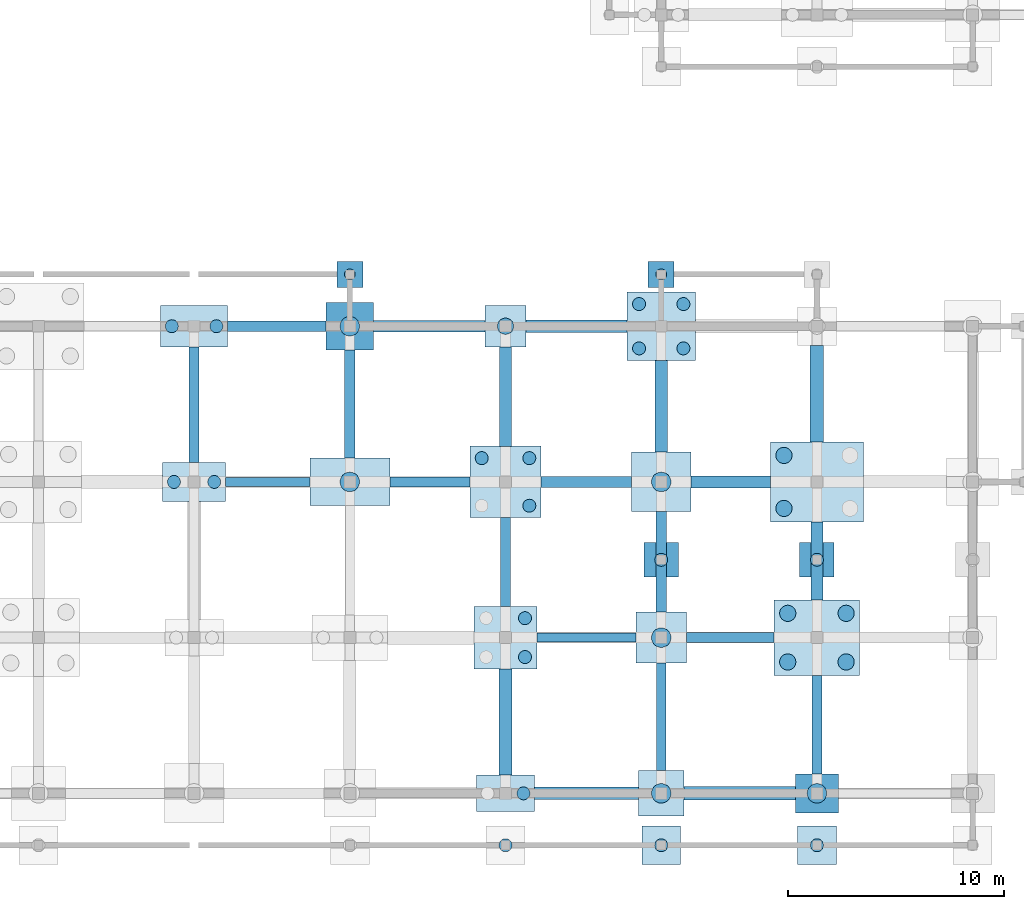
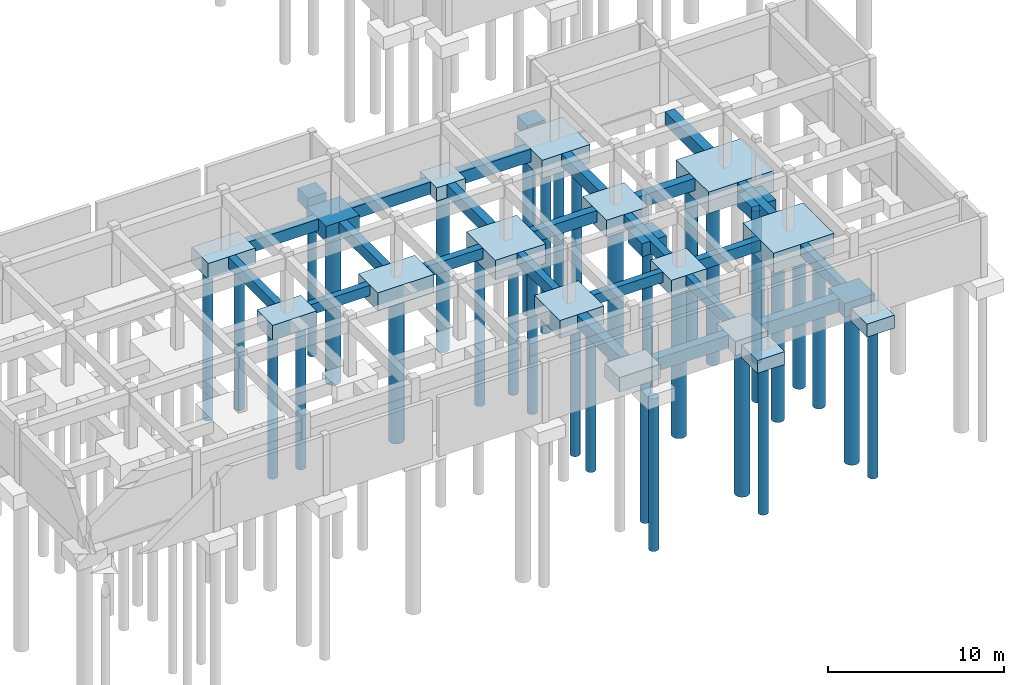
# One storey, part 5 of 38: 43 footings, 34 piles.
"""IFC4 building model written with IfcOpenShell, lengths in metres."""

from ifc_helpers import new_model, si_unit, direction, frame, origin, origin_2d, place, context, subcontext, project, spatial, polyline, rectangle, circle, outline, extrude, material, material_profile, profile_set, type_object, element, save


model = new_model("IFC4")

# Units and contexts
model_context = context("Model", 3, precision=1e-05, world=origin(), true_north=direction((0.0, 1.0)))
body_context = subcontext(model_context, "Body", "Model", "MODEL_VIEW")
ifc_project = project(units=[si_unit("LENGTHUNIT", "METRE"), si_unit("AREAUNIT", "SQUARE_METRE"), si_unit("VOLUMEUNIT", "CUBIC_METRE"), si_unit("PLANEANGLEUNIT", "RADIAN"), si_unit("MASSUNIT", "GRAM", prefix="KILO"), si_unit("THERMODYNAMICTEMPERATUREUNIT", "KELVIN"), si_unit("POWERUNIT", "WATT")], contexts=[model_context])

# Site, building, storey
site_placement = place(None, origin())
site = spatial("IfcSite", under=ifc_project, at=site_placement, CompositionType="ELEMENT")
building_placement = place(site_placement, origin())
building = spatial("IfcBuilding", under=site, at=building_placement, Name="Tavuni Mirador Residences", CompositionType="ELEMENT")
storey_placement = place(building_placement, frame((0.0, 0.0, -4.199951171875)))
storey = spatial("IfcBuildingStorey", under=building, at=storey_placement, Name="B1", CompositionType="ELEMENT", Elevation=-4.199951171875)

# Footings
ifc_material = material(Name="In-situ concrete C35/45", Category="concrete")
footing_type_1 = type_object("IfcFootingType", Name="FT-GB01", PredefinedType="FOOTING_BEAM", material=ifc_material)
footing_1_placement = place(storey_placement, frame((0.0, 0.0, -0.719970703125)))
element("IfcFooting", 1, at=footing_1_placement, inside=storey, type_object=footing_type_1, Name="GBX-PAV-SHOP-03-02", PredefinedType="FOOTING_BEAM", context=body_context, shape_type="SweptSolid", body=[
    extrude(outline(polyline([(69.85009765625, 21.389892578125), (73.75, 21.389892578125), (73.75, 21.81005859375), (69.85009765625, 21.81005859375), (69.85009765625, 21.389892578125)])), origin(), (0.0, 0.0, 1.0), 0.719970703125),
])
footing_2_placement = place(storey_placement, frame((0.0, 0.0, -0.719970703125)))
element("IfcFooting", 2, at=footing_2_placement, inside=storey, type_object=footing_type_1, Name="GBX-PAV-SHOP-05-01", PredefinedType="FOOTING_BEAM", context=body_context, shape_type="SweptSolid", body=[
    extrude(outline(polyline([(84.25, 14.18994140625), (88.824951171875, 14.18994140625), (88.824951171875, 14.610107421875), (84.25, 14.610107421875), (84.25, 14.18994140625)])), origin(), (0.0, 0.0, 1.0), 0.719970703125),
])
footing_3_placement = place(storey_placement, frame((0.0, 0.0, -0.719970703125)))
element("IfcFooting", 3, at=footing_3_placement, inside=storey, type_object=footing_type_1, Name="GBY-PAV-SHOP-06-00", PredefinedType="FOOTING_BEAM", context=body_context, shape_type="SweptSolid", body=[
    extrude(outline(polyline([(89.7900390625, 8.25), (90.2099609375, 8.25), (90.2099609375, 13.22509765625), (89.7900390625, 13.22509765625), (89.7900390625, 8.25)])), origin(), (0.0, 0.0, 1.0), 0.719970703125),
])
footing_type_2 = type_object("IfcFootingType", Name="FT-GB02", PredefinedType="FOOTING_BEAM", material=ifc_material)
footing_4_placement = place(storey_placement, frame((0.0, 0.0, -0.760009765625)))
element("IfcFooting", 4, at=footing_4_placement, inside=storey, type_object=footing_type_2, Name="GBY-PAV-SHOP-03-02", PredefinedType="FOOTING_BEAM", context=body_context, shape_type="SweptSolid", body=[
    extrude(outline(polyline([(68.169921875, 22.5), (68.6298828125, 22.5), (68.6298828125, 27.85009765625), (68.169921875, 27.85009765625), (68.169921875, 22.5)])), origin(), (0.0, 0.0, 1.0), 0.760009765625),
])
footing_5_placement = place(storey_placement, frame((0.0, 0.0, -0.760009765625)))
element("IfcFooting", 5, at=footing_5_placement, inside=storey, type_object=footing_type_2, Name="GBX-PAV-SHOP-04-02", PredefinedType="FOOTING_BEAM", context=body_context, shape_type="SweptSolid", body=[
    extrude(outline(polyline([(77.449951171875, 21.3701171875), (81.14990234375, 21.3701171875), (81.14990234375, 21.830078125), (77.449951171875, 21.830078125), (77.449951171875, 21.3701171875)])), origin(), (0.0, 0.0, 1.0), 0.760009765625),
])
footing_6_placement = place(storey_placement, frame((0.0, 0.0, -0.760009765625)))
element("IfcFooting", 6, at=footing_6_placement, inside=storey, type_object=footing_type_2, Name="GBY-PAV-SHOP-05-01", PredefinedType="FOOTING_BEAM", context=body_context, shape_type="SweptSolid", body=[
    extrude(outline(polyline([(82.570068359375, 15.85009765625), (83.030029296875, 15.85009765625), (83.030029296875, 19.949951171875), (82.570068359375, 19.949951171875), (82.570068359375, 15.85009765625)])), origin(), (0.0, 0.0, 1.0), 0.760009765625),
])
footing_7_placement = place(storey_placement, frame((0.0, 0.0, -0.760009765625)))
element("IfcFooting", 7, at=footing_7_placement, inside=storey, type_object=footing_type_2, Name="GBX-PAV-SHOP-06-01", PredefinedType="FOOTING_BEAM", context=body_context, shape_type="SweptSolid", body=[
    extrude(outline(polyline([(91.175048828125, 14.169921875), (95.22509765625, 14.169921875), (95.22509765625, 14.6298828125), (91.175048828125, 14.6298828125), (91.175048828125, 14.169921875)])), origin(), (0.0, 0.0, 1.0), 0.760009765625),
])
footing_8_placement = place(storey_placement, frame((0.0, 0.0, -0.760009765625)))
element("IfcFooting", 8, at=footing_8_placement, inside=storey, type_object=footing_type_2, Name="GBY-PAV-SHOP-07-00", PredefinedType="FOOTING_BEAM", context=body_context, shape_type="SweptSolid", body=[
    extrude(outline(polyline([(96.969970703125, 8.10009765625), (97.429931640625, 8.10009765625), (97.429931640625, 12.64990234375), (96.969970703125, 12.64990234375), (96.969970703125, 8.10009765625)])), origin(), (0.0, 0.0, 1.0), 0.760009765625),
])
footing_type_3 = type_object("IfcFootingType", Name="FT-GB03", PredefinedType="FOOTING_BEAM", material=ifc_material)
footing_9_placement = place(storey_placement, frame((0.0, 0.0, -0.800048828125)))
element("IfcFooting", 9, at=footing_9_placement, inside=storey, type_object=footing_type_3, Name="GBX-PAV-SHOP-03-03", PredefinedType="FOOTING_BEAM", context=body_context, shape_type="SweptSolid", body=[
    extrude(outline(polyline([(69.949951171875, 28.550048828125), (74.5, 28.550048828125), (74.5, 29.050048828125), (69.949951171875, 29.050048828125), (69.949951171875, 28.550048828125)])), origin(), (0.0, 0.0, 1.0), 0.800048828125),
])
footing_10_placement = place(storey_placement, frame((0.0, 0.0, -0.800048828125)))
element("IfcFooting", 10, at=footing_10_placement, inside=storey, type_object=footing_type_3, Name="GBY-PAV-SHOP-04-02", PredefinedType="FOOTING_BEAM", context=body_context, shape_type="SweptSolid", body=[
    extrude(outline(polyline([(75.35009765625, 22.699951171875), (75.85009765625, 22.699951171875), (75.85009765625, 27.699951171875), (75.35009765625, 27.699951171875), (75.35009765625, 22.699951171875)])), origin(), (0.0, 0.0, 1.0), 0.800048828125),
])
footing_11_placement = place(storey_placement, frame((0.0, 0.0, -0.800048828125)))
element("IfcFooting", 11, at=footing_11_placement, inside=storey, type_object=footing_type_3, Name="GBX-PAV-SHOP-05-02", PredefinedType="FOOTING_BEAM", context=body_context, shape_type="SweptSolid", body=[
    extrude(outline(polyline([(84.449951171875, 21.35009765625), (88.625, 21.35009765625), (88.625, 21.85009765625), (84.449951171875, 21.85009765625), (84.449951171875, 21.35009765625)])), origin(), (0.0, 0.0, 1.0), 0.800048828125),
])
footing_12_placement = place(storey_placement, frame((0.0, 0.0, -0.800048828125)))
element("IfcFooting", 12, at=footing_12_placement, inside=storey, type_object=footing_type_3, Name="GBY-PAV-SHOP-06-01", PredefinedType="FOOTING_BEAM", context=body_context, shape_type="SweptSolid", body=[
    extrude(outline(polyline([(89.75, 15.574951171875), (90.25, 15.574951171875), (90.25, 20.22509765625), (89.75, 20.22509765625), (89.75, 15.574951171875)])), origin(), (0.0, 0.0, 1.0), 0.800048828125),
])
footing_type_4 = type_object("IfcFootingType", Name="FT-GB04", PredefinedType="FOOTING_BEAM", material=ifc_material)
footing_13_placement = place(storey_placement, frame((0.0, 0.0, -0.840087890625)))
element("IfcFooting", 13, at=footing_13_placement, inside=storey, type_object=footing_type_4, Name="GBX-PAV-SHOP-04-03", PredefinedType="FOOTING_BEAM", context=body_context, shape_type="SweptSolid", body=[
    extrude(outline(polyline([(76.699951171875, 28.530029296875), (81.85009765625, 28.530029296875), (81.85009765625, 29.070068359375), (76.699951171875, 29.070068359375), (76.699951171875, 28.530029296875)])), origin(), (0.0, 0.0, 1.0), 0.840087890625),
])
footing_14_placement = place(storey_placement, frame((0.0, 0.0, -0.840087890625)))
element("IfcFooting", 14, at=footing_14_placement, inside=storey, type_object=footing_type_4, Name="GBY-PAV-SHOP-05-02", PredefinedType="FOOTING_BEAM", context=body_context, shape_type="SweptSolid", body=[
    extrude(outline(polyline([(82.530029296875, 23.25), (83.070068359375, 23.25), (83.070068359375, 27.85009765625), (82.530029296875, 27.85009765625), (82.530029296875, 23.25)])), origin(), (0.0, 0.0, 1.0), 0.840087890625),
])
footing_15_placement = place(storey_placement, frame((0.0, 0.0, -0.840087890625)))
element("IfcFooting", 15, at=footing_15_placement, inside=storey, type_object=footing_type_4, Name="GBX-PAV-SHOP-06-02", PredefinedType="FOOTING_BEAM", context=body_context, shape_type="SweptSolid", body=[
    extrude(outline(polyline([(91.375, 21.330078125), (95.050048828125, 21.330078125), (95.050048828125, 21.8701171875), (91.375, 21.8701171875), (91.375, 21.330078125)])), origin(), (0.0, 0.0, 1.0), 0.840087890625),
])
footing_16_placement = place(storey_placement, frame((0.0, 0.0, -0.840087890625)))
element("IfcFooting", 16, at=footing_16_placement, inside=storey, type_object=footing_type_4, Name="GBY-PAV-SHOP-07-01", PredefinedType="FOOTING_BEAM", context=body_context, shape_type="SweptSolid", body=[
    extrude(outline(polyline([(96.929931640625, 16.14990234375), (97.469970703125, 16.14990234375), (97.469970703125, 19.75), (96.929931640625, 19.75), (96.929931640625, 16.14990234375)])), origin(), (0.0, 0.0, 1.0), 0.840087890625),
])
footing_type_5 = type_object("IfcFootingType", Name="FT-GB05", PredefinedType="FOOTING_BEAM", material=ifc_material)
footing_17_placement = place(storey_placement, frame((0.0, 0.0, -0.880126953125)))
element("IfcFooting", 17, at=footing_17_placement, inside=storey, type_object=footing_type_5, Name="GBX-PAV-SHOP-05-00", PredefinedType="FOOTING_BEAM", context=body_context, shape_type="SweptSolid", body=[
    extrude(outline(polyline([(84.14990234375, 6.909912109375), (88.949951171875, 6.909912109375), (88.949951171875, 7.489990234375), (84.14990234375, 7.489990234375), (84.14990234375, 6.909912109375)])), origin(), (0.0, 0.0, 1.0), 0.880126953125),
])
footing_18_placement = place(storey_placement, frame((0.0, 0.0, -0.880126953125)))
element("IfcFooting", 18, at=footing_18_placement, inside=storey, type_object=footing_type_5, Name="GBX-PAV-SHOP-05-03", PredefinedType="FOOTING_BEAM", context=body_context, shape_type="SweptSolid", body=[
    extrude(outline(polyline([(83.75, 28.510009765625), (88.425048828125, 28.510009765625), (88.425048828125, 29.090087890625), (83.75, 29.090087890625), (83.75, 28.510009765625)])), origin(), (0.0, 0.0, 1.0), 0.880126953125),
])
footing_19_placement = place(storey_placement, frame((0.0, 0.0, -0.880126953125)))
element("IfcFooting", 19, at=footing_19_placement, inside=storey, type_object=footing_type_5, Name="GBY-PAV-SHOP-06-02", PredefinedType="FOOTING_BEAM", context=body_context, shape_type="SweptSolid", body=[
    extrude(outline(polyline([(89.7099609375, 22.97509765625), (90.2900390625, 22.97509765625), (90.2900390625, 27.22509765625), (89.7099609375, 27.22509765625), (89.7099609375, 22.97509765625)])), origin(), (0.0, 0.0, 1.0), 0.880126953125),
])
footing_type_6 = type_object("IfcFootingType", Name="FT-GB06", PredefinedType="FOOTING_BEAM", material=ifc_material)
footing_20_placement = place(storey_placement, frame((0.0, 0.0, -0.920166015625)))
element("IfcFooting", 20, at=footing_20_placement, inside=storey, type_object=footing_type_6, Name="GBY-PAV-SHOP-05-00", PredefinedType="FOOTING_BEAM", context=body_context, shape_type="SweptSolid", body=[
    extrude(outline(polyline([(82.489990234375, 8.050048828125), (83.110107421875, 8.050048828125), (83.110107421875, 12.949951171875), (82.489990234375, 12.949951171875), (82.489990234375, 8.050048828125)])), origin(), (0.0, 0.0, 1.0), 0.920166015625),
])
footing_21_placement = place(storey_placement, frame((0.0, 0.0, -0.920166015625)))
element("IfcFooting", 21, at=footing_21_placement, inside=storey, type_object=footing_type_6, Name="GBX-PAV-SHOP-06-00", PredefinedType="FOOTING_BEAM", context=body_context, shape_type="SweptSolid", body=[
    extrude(outline(polyline([(91.050048828125, 6.889892578125), (96.199951171875, 6.889892578125), (96.199951171875, 7.510009765625), (91.050048828125, 7.510009765625), (91.050048828125, 6.889892578125)])), origin(), (0.0, 0.0, 1.0), 0.920166015625),
])
footing_22_placement = place(storey_placement, frame((0.0, 0.0, -0.920166015625)))
element("IfcFooting", 22, at=footing_22_placement, inside=storey, type_object=footing_type_6, Name="GBY-PAV-SHOP-07-02", PredefinedType="FOOTING_BEAM", context=body_context, shape_type="SweptSolid", body=[
    extrude(outline(polyline([(96.889892578125, 23.449951171875), (97.510009765625, 23.449951171875), (97.510009765625, 27.89990234375), (96.889892578125, 27.89990234375), (96.889892578125, 23.449951171875)])), origin(), (0.0, 0.0, 1.0), 0.920166015625),
])
footing_type_7 = type_object("IfcFootingType", Name="FT-PC01", PredefinedType="PILE_CAP", material=ifc_material)
for number, where, z_axis, x_axis, name in (
    (23, (90.0, 4.800048828125, -0.89990234375), (0.0, 0.0, 1.0), (1.0, 0.0, 0.0), "CAP-APR-SHOP-S-S6"),
    (24, (97.199951171875, 4.800048828125, -0.89990234375), (0.0, 0.0, 1.0), (1.0, 0.0, 0.0), "CAP-APR-SHOP-S-S7"),
):
    element("IfcFooting", number, at=place(storey_placement, frame(where, z_axis=z_axis, x_axis=x_axis)), inside=storey, type_object=footing_type_7, Name=name, PredefinedType="PILE_CAP", context=body_context, shape_type="SweptSolid", body=[
        extrude(rectangle(XDim=1.800048828125, YDim=1.800048828125, at=origin_2d()), origin(), (0.0, 0.0, 1.0), 0.89990234375),
    ])
for number, where, z_axis, x_axis, name in (
    (25, (75.60009765625, 31.199951171875, -0.89990234375), (0.0, 0.0, 1.0), (1.0, 0.0, 0.0), "CAP-APR-SHOP-N-2"),
    (26, (90.0, 31.199951171875, -0.89990234375), (0.0, 0.0, 1.0), (1.0, 0.0, 0.0), "CAP-APR-SHOP-CPN-3"),
):
    element("IfcFooting", number, at=place(storey_placement, frame(where, z_axis=z_axis, x_axis=x_axis)), inside=storey, type_object=footing_type_7, Name=name, PredefinedType="PILE_CAP", context=body_context, shape_type="SweptSolid", body=[
        extrude(rectangle(XDim=1.199951171875, YDim=1.199951171875, at=origin_2d()), origin(), (0.0, 0.0, 1.0), 0.89990234375),
    ])
for number, where, z_axis, x_axis, name in (
    (27, (90.0, 18.0, -0.89990234375), (0.0, 0.0, 1.0), (1.0, 0.0, 0.0), "CAP-SHOP-CP-RDG-1"),
    (28, (97.199951171875, 18.0, -0.89990234375), (0.0, 0.0, 1.0), (1.0, 0.0, 0.0), "CAP-SHOP-CP-RDG-2"),
):
    element("IfcFooting", number, at=place(storey_placement, frame(where, z_axis=z_axis, x_axis=x_axis)), inside=storey, type_object=footing_type_7, Name=name, PredefinedType="PILE_CAP", context=body_context, shape_type="SweptSolid", body=[
        extrude(rectangle(XDim=1.60009765625, YDim=1.60009765625, at=origin_2d()), origin(), (0.0, 0.0, 1.0), 0.89990234375),
    ])
footing_type_8 = type_object("IfcFootingType", Name="FT-PC02", PredefinedType="PILE_CAP", material=ifc_material)
footing_23_placement = place(storey_placement, frame((97.199951171875, 7.199951171875, -0.9501953125), z_axis=(0.0, 0.0, 1.0), x_axis=(1.0, 0.0, 0.0)))
element("IfcFooting", 29, at=footing_23_placement, inside=storey, type_object=footing_type_8, Name="CAP-PAV-SHOP-07-00", PredefinedType="PILE_CAP", context=body_context, shape_type="SweptSolid", body=[
    extrude(rectangle(XDim=2.0, YDim=1.800048828125, at=origin_2d()), origin(), (0.0, 0.0, 1.0), 0.949951171875),
])
footing_type_9 = type_object("IfcFootingType", Name="FT-PC15", PredefinedType="PILE_CAP", material=ifc_material)
footing_24_placement = place(storey_placement, frame((82.800048828125, 7.199951171875, -1.0), z_axis=(0.0, 0.0, 1.0), x_axis=(1.0, 0.0, 0.0)))
element("IfcFooting", 30, at=footing_24_placement, inside=storey, type_object=footing_type_9, Name="CAP-PAV-SHOP-05-00", PredefinedType="PILE_CAP", context=body_context, shape_type="SweptSolid", body=[
    extrude(rectangle(XDim=2.699951171875, YDim=1.699951171875, at=origin_2d()), origin(), (0.0, 0.0, 1.0), 1.0),
])
footing_type_10 = type_object("IfcFootingType", Name="FT-PC16", PredefinedType="PILE_CAP", material=ifc_material)
footing_25_placement = place(storey_placement, frame((68.39990234375, 21.60009765625, -1.05029296875), z_axis=(0.0, 0.0, 1.0), x_axis=(1.0, 0.0, 0.0)))
element("IfcFooting", 31, at=footing_25_placement, inside=storey, type_object=footing_type_10, Name="CAP-PAV-SHOP-03-02", PredefinedType="PILE_CAP", context=body_context, shape_type="SweptSolid", body=[
    extrude(rectangle(XDim=2.89990234375, YDim=1.800048828125, at=origin_2d()), origin(), (0.0, 0.0, 1.0), 1.050048828125),
])
footing_type_11 = type_object("IfcFootingType", Name="FT-PC17", PredefinedType="PILE_CAP", material=ifc_material)
footing_26_placement = place(storey_placement, frame((68.39990234375, 28.800048828125, -1.10009765625), z_axis=(0.0, 0.0, 1.0), x_axis=(1.0, 0.0, 0.0)))
element("IfcFooting", 32, at=footing_26_placement, inside=storey, type_object=footing_type_11, Name="CAP-PAV-SHOP-03-03", PredefinedType="PILE_CAP", context=body_context, shape_type="SweptSolid", body=[
    extrude(rectangle(XDim=3.10009765625, YDim=1.89990234375, at=origin_2d()), origin(), (0.0, 0.0, 1.0), 1.10009765625),
])
footing_type_12 = type_object("IfcFootingType", Name="FT-PC20", PredefinedType="PILE_CAP", material=ifc_material)
footing_27_placement = place(storey_placement, frame((75.60009765625, 21.60009765625, -1.25), z_axis=(0.0, 0.0, 1.0), x_axis=(1.0, 0.0, 0.0)))
element("IfcFooting", 33, at=footing_27_placement, inside=storey, type_object=footing_type_12, Name="CAP-PAV-SHOP-04-02", PredefinedType="PILE_CAP", context=body_context, shape_type="SweptSolid", body=[
    extrude(rectangle(XDim=3.699951171875, YDim=2.199951171875, at=origin_2d()), origin(), (0.0, 0.0, 1.0), 1.25),
])
footing_type_13 = type_object("IfcFootingType", Name="FT-PC21", PredefinedType="PILE_CAP", material=ifc_material)
footing_28_placement = place(storey_placement, frame((75.60009765625, 28.800048828125, -1.10009765625), z_axis=(0.0, 0.0, 1.0), x_axis=(1.0, 0.0, 0.0)))
element("IfcFooting", 34, at=footing_28_placement, inside=storey, type_object=footing_type_13, Name="CAP-PAV-SHOP-04-03", PredefinedType="PILE_CAP", context=body_context, shape_type="SweptSolid", body=[
    extrude(rectangle(XDim=2.199951171875, YDim=2.199951171875, at=origin_2d()), origin(), (0.0, 0.0, 1.0), 1.10009765625),
])
footing_type_14 = type_object("IfcFootingType", Name="FT-PC23", PredefinedType="PILE_CAP", material=ifc_material)
footing_29_placement = place(storey_placement, frame((82.800048828125, 14.39990234375, -1.25), z_axis=(0.0, 0.0, 1.0), x_axis=(1.0, 0.0, 0.0)))
element("IfcFooting", 35, at=footing_29_placement, inside=storey, type_object=footing_type_14, Name="CAP-PAV-SHOP-05-01", PredefinedType="PILE_CAP", context=body_context, shape_type="SweptSolid", body=[
    extrude(rectangle(XDim=2.89990234375, YDim=2.89990234375, at=origin_2d()), origin(), (0.0, 0.0, 1.0), 1.25),
])
footing_type_15 = type_object("IfcFootingType", Name="FT-PC24", PredefinedType="PILE_CAP", material=ifc_material)
footing_30_placement = place(storey_placement, frame((82.800048828125, 21.60009765625, -1.35009765625), z_axis=(0.0, 0.0, 1.0), x_axis=(1.0, 0.0, 0.0)))
element("IfcFooting", 36, at=footing_30_placement, inside=storey, type_object=footing_type_15, Name="CAP-PAV-SHOP-05-02", PredefinedType="PILE_CAP", context=body_context, shape_type="SweptSolid", body=[
    extrude(rectangle(XDim=3.300048828125, YDim=3.300048828125, at=origin_2d()), origin(), (0.0, 0.0, 1.0), 1.35009765625),
])
footing_type_16 = type_object("IfcFootingType", Name="FT-PC25", PredefinedType="PILE_CAP", material=ifc_material)
footing_31_placement = place(storey_placement, frame((82.800048828125, 28.800048828125, -0.919921875), z_axis=(0.0, 0.0, 1.0), x_axis=(1.0, 0.0, 0.0)))
element("IfcFooting", 37, at=footing_31_placement, inside=storey, type_object=footing_type_16, Name="CAP-PAV-SHOP-05-03", PredefinedType="PILE_CAP", context=body_context, shape_type="SweptSolid", body=[
    extrude(rectangle(XDim=1.89990234375, YDim=1.89990234375, at=origin_2d()), origin(), (0.0, 0.0, 1.0), 0.919921875),
])
footing_type_17 = type_object("IfcFootingType", Name="FT-PC26", PredefinedType="PILE_CAP", material=ifc_material)
footing_32_placement = place(storey_placement, frame((90.0, 7.199951171875, -0.97998046875), z_axis=(0.0, 0.0, 1.0), x_axis=(1.0, 0.0, 0.0)))
element("IfcFooting", 38, at=footing_32_placement, inside=storey, type_object=footing_type_17, Name="CAP-PAV-SHOP-06-00", PredefinedType="PILE_CAP", context=body_context, shape_type="SweptSolid", body=[
    extrude(rectangle(XDim=2.10009765625, YDim=2.10009765625, at=origin_2d()), origin(), (0.0, 0.0, 1.0), 0.97998046875),
])
footing_type_18 = type_object("IfcFootingType", Name="FT-PC27", PredefinedType="PILE_CAP", material=ifc_material)
footing_33_placement = place(storey_placement, frame((90.0, 14.39990234375, -1.06005859375), z_axis=(0.0, 0.0, 1.0), x_axis=(1.0, 0.0, 0.0)))
element("IfcFooting", 39, at=footing_33_placement, inside=storey, type_object=footing_type_18, Name="CAP-PAV-SHOP-06-01", PredefinedType="PILE_CAP", context=body_context, shape_type="SweptSolid", body=[
    extrude(rectangle(XDim=2.35009765625, YDim=2.35009765625, at=origin_2d()), origin(), (0.0, 0.0, 1.0), 1.06005859375),
])
footing_type_19 = type_object("IfcFootingType", Name="FT-PC28", PredefinedType="PILE_CAP", material=ifc_material)
footing_34_placement = place(storey_placement, frame((90.0, 21.60009765625, -1.18017578125), z_axis=(0.0, 0.0, 1.0), x_axis=(1.0, 0.0, 0.0)))
element("IfcFooting", 40, at=footing_34_placement, inside=storey, type_object=footing_type_19, Name="CAP-PAV-SHOP-06-02", PredefinedType="PILE_CAP", context=body_context, shape_type="SweptSolid", body=[
    extrude(rectangle(XDim=2.75, YDim=2.75, at=origin_2d()), origin(), (0.0, 0.0, 1.0), 1.179931640625),
])
footing_type_20 = type_object("IfcFootingType", Name="FT-PC29", PredefinedType="PILE_CAP", material=ifc_material)
footing_35_placement = place(storey_placement, frame((90.0, 28.800048828125, -1.2802734375), z_axis=(0.0, 0.0, 1.0), x_axis=(1.0, 0.0, 0.0)))
element("IfcFooting", 41, at=footing_35_placement, inside=storey, type_object=footing_type_20, Name="CAP-PAV-SHOP-06-03", PredefinedType="PILE_CAP", context=body_context, shape_type="SweptSolid", body=[
    extrude(rectangle(XDim=3.14990234375, YDim=3.14990234375, at=origin_2d()), origin(), (0.0, 0.0, 1.0), 1.280029296875),
])
footing_type_21 = type_object("IfcFootingType", Name="FT-PC31", PredefinedType="PILE_CAP", material=ifc_material)
footing_36_placement = place(storey_placement, frame((97.199951171875, 14.39990234375, -1.419921875), z_axis=(0.0, 0.0, 1.0), x_axis=(1.0, 0.0, 0.0)))
element("IfcFooting", 42, at=footing_36_placement, inside=storey, type_object=footing_type_21, Name="CAP-PAV-SHOP-07-01", PredefinedType="PILE_CAP", context=body_context, shape_type="SweptSolid", body=[
    extrude(rectangle(XDim=3.949951171875, YDim=3.5, at=origin_2d()), origin(), (0.0, 0.0, 1.0), 1.419921875),
])
footing_type_22 = type_object("IfcFootingType", Name="FT-PC32", PredefinedType="PILE_CAP", material=ifc_material)
footing_37_placement = place(storey_placement, frame((97.199951171875, 21.60009765625, -1.47998046875), z_axis=(0.0, 0.0, 1.0), x_axis=(1.0, 0.0, 0.0)))
element("IfcFooting", 43, at=footing_37_placement, inside=storey, type_object=footing_type_22, Name="CAP-PAV-SHOP-07-02", PredefinedType="PILE_CAP", context=body_context, shape_type="SweptSolid", body=[
    extrude(rectangle(XDim=4.300048828125, YDim=3.699951171875, at=origin_2d()), origin(), (0.0, 0.0, 1.0), 1.47998046875),
])

# Piles
ifc_material_profile_1 = material_profile(ifc_material, circle(Radius=0.25, at=origin_2d()), Name="PILE D500", Category="concrete")
ifc_profile_set_1 = profile_set([ifc_material_profile_1], Name="In-situ concrete C35/45")
pile_type_1 = type_object("IfcPileType", Name="PT-D500", PredefinedType="BORED", material=ifc_profile_set_1)
for number, where, z_axis, x_axis, name in (
    (44, (75.60009765625, 31.199951171875, -0.800048828125), (0.0, 0.0, -1.0), (1.0, 0.0, 0.0), "PIL-APR-SHOP-N-2"),
    (45, (90.0, 31.199951171875, -0.800048828125), (0.0, 0.0, -1.0), (1.0, 0.0, 0.0), "PIL-APR-SHOP-CPN-3"),
):
    element("IfcPile", number, at=place(storey_placement, frame(where, z_axis=z_axis, x_axis=x_axis)), inside=storey, type_object=pile_type_1, Name=name, PredefinedType="BORED", context=body_context, shape_type="SweptSolid", body=[
        extrude(circle(Radius=0.25, at=origin_2d()), origin(), (0.0, 0.0, 1.0), 10.60009765625),
    ])
ifc_material_profile_2 = material_profile(ifc_material, circle(Radius=0.300048828125, at=origin_2d()), Name="PILE D600", Category="concrete")
ifc_profile_set_2 = profile_set([ifc_material_profile_2], Name="In-situ concrete C35/45")
pile_type_2 = type_object("IfcPileType", Name="PT-D600", PredefinedType="BORED", material=ifc_profile_set_2)
for number, where, z_axis, x_axis, name in (
    (46, (67.469970703125, 21.60009765625, -1.050048828125), (0.0, 0.0, -1.0), (1.0, 0.0, 0.0), "PIL-PAV-SHOP-03-02-1"),
    (47, (69.330078125, 21.60009765625, -1.050048828125), (0.0, 0.0, -1.0), (1.0, 0.0, 0.0), "PIL-PAV-SHOP-03-02-2"),
):
    element("IfcPile", number, at=place(storey_placement, frame(where, z_axis=z_axis, x_axis=x_axis)), inside=storey, type_object=pile_type_2, Name=name, PredefinedType="BORED", context=body_context, shape_type="SweptSolid", body=[
        extrude(circle(Radius=0.300048828125, at=origin_2d()), origin(), (0.0, 0.0, 1.0), 10.14990234375),
    ])
for number, where, z_axis, x_axis, name in (
    (48, (67.3701171875, 28.800048828125, -1.10009765625), (0.0, 0.0, -1.0), (1.0, 0.0, 0.0), "PIL-PAV-SHOP-03-03-1"),
    (49, (69.429931640625, 28.800048828125, -1.10009765625), (0.0, 0.0, -1.0), (1.0, 0.0, 0.0), "PIL-PAV-SHOP-03-03-2"),
):
    element("IfcPile", number, at=place(storey_placement, frame(where, z_axis=z_axis, x_axis=x_axis)), inside=storey, type_object=pile_type_2, Name=name, PredefinedType="BORED", context=body_context, shape_type="SweptSolid", body=[
        extrude(circle(Radius=0.300048828125, at=origin_2d()), origin(), (0.0, 0.0, 1.0), 10.39990234375),
    ])
pile_1_placement = place(storey_placement, frame((83.6298828125, 7.199951171875, -1.0), z_axis=(0.0, 0.0, -1.0), x_axis=(1.0, 0.0, 0.0)))
element("IfcPile", 50, at=pile_1_placement, inside=storey, type_object=pile_type_2, Name="PIL-PAV-SHOP-05-00-2", PredefinedType="BORED", context=body_context, shape_type="SweptSolid", body=[
    extrude(circle(Radius=0.300048828125, at=origin_2d()), origin(), (0.0, 0.0, 1.0), 10.199951171875),
])
for number, where, z_axis, x_axis, name in (
    (51, (83.699951171875, 13.5, -1.25), (0.0, 0.0, -1.0), (1.0, 0.0, 0.0), "PIL-PAV-SHOP-05-01-2"),
    (52, (83.699951171875, 15.300048828125, -1.25), (0.0, 0.0, -1.0), (1.0, 0.0, 0.0), "PIL-PAV-SHOP-05-01-4"),
):
    element("IfcPile", number, at=place(storey_placement, frame(where, z_axis=z_axis, x_axis=x_axis)), inside=storey, type_object=pile_type_2, Name=name, PredefinedType="BORED", context=body_context, shape_type="SweptSolid", body=[
        extrude(circle(Radius=0.300048828125, at=origin_2d()), origin(), (0.0, 0.0, 1.0), 10.25),
    ])
for number, where, z_axis, x_axis, name in (
    (53, (83.89990234375, 20.5, -1.35009765625), (0.0, 0.0, -1.0), (1.0, 0.0, 0.0), "PIL-PAV-SHOP-05-02-2"),
    (54, (81.699951171875, 22.699951171875, -1.35009765625), (0.0, 0.0, -1.0), (1.0, 0.0, 0.0), "PIL-PAV-SHOP-05-02-3"),
    (55, (83.89990234375, 22.699951171875, -1.35009765625), (0.0, 0.0, -1.0), (1.0, 0.0, 0.0), "PIL-PAV-SHOP-05-02-4"),
):
    element("IfcPile", number, at=place(storey_placement, frame(where, z_axis=z_axis, x_axis=x_axis)), inside=storey, type_object=pile_type_2, Name=name, PredefinedType="BORED", context=body_context, shape_type="SweptSolid", body=[
        extrude(circle(Radius=0.300048828125, at=origin_2d()), origin(), (0.0, 0.0, 1.0), 10.449951171875),
    ])
for number, where, z_axis, x_axis, name in (
    (56, (88.97509765625, 27.77490234375, -1.280029296875), (0.0, 0.0, -1.0), (1.0, 0.0, 0.0), "PIL-PAV-SHOP-06-03-1"),
    (57, (91.02490234375, 27.77490234375, -1.280029296875), (0.0, 0.0, -1.0), (1.0, 0.0, 0.0), "PIL-PAV-SHOP-06-03-2"),
    (58, (88.97509765625, 29.824951171875, -1.280029296875), (0.0, 0.0, -1.0), (1.0, 0.0, 0.0), "PIL-PAV-SHOP-06-03-3"),
    (59, (91.02490234375, 29.824951171875, -1.280029296875), (0.0, 0.0, -1.0), (1.0, 0.0, 0.0), "PIL-PAV-SHOP-06-03-4"),
):
    element("IfcPile", number, at=place(storey_placement, frame(where, z_axis=z_axis, x_axis=x_axis)), inside=storey, type_object=pile_type_2, Name=name, PredefinedType="BORED", context=body_context, shape_type="SweptSolid", body=[
        extrude(circle(Radius=0.300048828125, at=origin_2d()), origin(), (0.0, 0.0, 1.0), 11.1201171875),
    ])
for number, where, z_axis, x_axis, name in (
    (60, (82.800048828125, 4.800048828125, -0.800048828125), (0.0, 0.0, -1.0), (1.0, 0.0, 0.0), "PIL-APR-SHOP-S-S5"),
    (61, (90.0, 4.800048828125, -0.800048828125), (0.0, 0.0, -1.0), (1.0, 0.0, 0.0), "PIL-APR-SHOP-S-S6"),
    (62, (97.199951171875, 4.800048828125, -0.800048828125), (0.0, 0.0, -1.0), (1.0, 0.0, 0.0), "PIL-APR-SHOP-S-S7"),
    (63, (90.0, 18.0, -0.800048828125), (0.0, 0.0, -1.0), (1.0, 0.0, 0.0), "PIL-SHOP-CP-RDG-1"),
    (64, (97.199951171875, 18.0, -0.800048828125), (0.0, 0.0, -1.0), (1.0, 0.0, 0.0), "PIL-SHOP-CP-RDG-2"),
):
    element("IfcPile", number, at=place(storey_placement, frame(where, z_axis=z_axis, x_axis=x_axis)), inside=storey, type_object=pile_type_2, Name=name, PredefinedType="BORED", context=body_context, shape_type="SweptSolid", body=[
        extrude(circle(Radius=0.300048828125, at=origin_2d()), origin(), (0.0, 0.0, 1.0), 10.60009765625),
    ])
ifc_material_profile_3 = material_profile(ifc_material, circle(Radius=0.375, at=origin_2d()), Name="PILE D750", Category="concrete")
ifc_profile_set_3 = profile_set([ifc_material_profile_3], Name="In-situ concrete C35/45")
pile_type_3 = type_object("IfcPileType", Name="PT-D750", PredefinedType="BORED", material=ifc_profile_set_3)
pile_2_placement = place(storey_placement, frame((82.800048828125, 28.800048828125, -0.920166015625), z_axis=(0.0, 0.0, -1.0), x_axis=(1.0, 0.0, 0.0)))
element("IfcPile", 65, at=pile_2_placement, inside=storey, type_object=pile_type_3, Name="PIL-PAV-SHOP-05-03-1", PredefinedType="BORED", context=body_context, shape_type="SweptSolid", body=[
    extrude(circle(Radius=0.375, at=origin_2d()), origin(), (0.0, 0.0, 1.0), 11.179931640625),
])
for number, where, z_axis, x_axis, name in (
    (66, (95.85009765625, 13.27490234375, -1.420166015625), (0.0, 0.0, -1.0), (1.0, 0.0, 0.0), "PIL-PAV-SHOP-07-01-1"),
    (67, (98.550048828125, 13.27490234375, -1.420166015625), (0.0, 0.0, -1.0), (1.0, 0.0, 0.0), "PIL-PAV-SHOP-07-01-2"),
    (68, (95.85009765625, 15.52490234375, -1.420166015625), (0.0, 0.0, -1.0), (1.0, 0.0, 0.0), "PIL-PAV-SHOP-07-01-3"),
    (69, (98.550048828125, 15.52490234375, -1.420166015625), (0.0, 0.0, -1.0), (1.0, 0.0, 0.0), "PIL-PAV-SHOP-07-01-4"),
):
    element("IfcPile", number, at=place(storey_placement, frame(where, z_axis=z_axis, x_axis=x_axis)), inside=storey, type_object=pile_type_3, Name=name, PredefinedType="BORED", context=body_context, shape_type="SweptSolid", body=[
        extrude(circle(Radius=0.375, at=origin_2d()), origin(), (0.0, 0.0, 1.0), 10.679931640625),
    ])
for number, where, z_axis, x_axis, name in (
    (70, (95.675048828125, 20.375, -1.47998046875), (0.0, 0.0, -1.0), (1.0, 0.0, 0.0), "PIL-PAV-SHOP-07-02-1"),
    (71, (95.675048828125, 22.824951171875, -1.47998046875), (0.0, 0.0, -1.0), (1.0, 0.0, 0.0), "PIL-PAV-SHOP-07-02-3"),
):
    element("IfcPile", number, at=place(storey_placement, frame(where, z_axis=z_axis, x_axis=x_axis)), inside=storey, type_object=pile_type_3, Name=name, PredefinedType="BORED", context=body_context, shape_type="SweptSolid", body=[
        extrude(circle(Radius=0.375, at=origin_2d()), origin(), (0.0, 0.0, 1.0), 10.919921875),
    ])
ifc_material_profile_4 = material_profile(ifc_material, circle(Radius=0.449951171875, at=origin_2d()), Name="PILE D900", Category="concrete")
ifc_profile_set_4 = profile_set([ifc_material_profile_4], Name="In-situ concrete C35/45")
pile_type_4 = type_object("IfcPileType", Name="PT-D900", PredefinedType="BORED", material=ifc_profile_set_4)
pile_3_placement = place(storey_placement, frame((75.60009765625, 21.60009765625, -1.25), z_axis=(0.0, 0.0, -1.0), x_axis=(1.0, 0.0, 0.0)))
element("IfcPile", 72, at=pile_3_placement, inside=storey, type_object=pile_type_4, Name="PIL-PAV-SHOP-04-02-1", PredefinedType="BORED", context=body_context, shape_type="SweptSolid", body=[
    extrude(circle(Radius=0.449951171875, at=origin_2d()), origin(), (0.0, 0.0, 1.0), 10.25),
])
pile_4_placement = place(storey_placement, frame((75.60009765625, 28.800048828125, -1.10009765625), z_axis=(0.0, 0.0, -1.0), x_axis=(1.0, 0.0, 0.0)))
element("IfcPile", 73, at=pile_4_placement, inside=storey, type_object=pile_type_4, Name="PIL-PAV-SHOP-04-03-1", PredefinedType="BORED", context=body_context, shape_type="SweptSolid", body=[
    extrude(circle(Radius=0.449951171875, at=origin_2d()), origin(), (0.0, 0.0, 1.0), 10.699951171875),
])
pile_5_placement = place(storey_placement, frame((90.0, 7.199951171875, -0.97998046875), z_axis=(0.0, 0.0, -1.0), x_axis=(1.0, 0.0, 0.0)))
element("IfcPile", 74, at=pile_5_placement, inside=storey, type_object=pile_type_4, Name="PIL-PAV-SHOP-06-00-1", PredefinedType="BORED", context=body_context, shape_type="SweptSolid", body=[
    extrude(circle(Radius=0.449951171875, at=origin_2d()), origin(), (0.0, 0.0, 1.0), 10.52001953125),
])
pile_6_placement = place(storey_placement, frame((90.0, 14.39990234375, -1.06005859375), z_axis=(0.0, 0.0, -1.0), x_axis=(1.0, 0.0, 0.0)))
element("IfcPile", 75, at=pile_6_placement, inside=storey, type_object=pile_type_4, Name="PIL-PAV-SHOP-06-01-1", PredefinedType="BORED", context=body_context, shape_type="SweptSolid", body=[
    extrude(circle(Radius=0.449951171875, at=origin_2d()), origin(), (0.0, 0.0, 1.0), 10.739990234375),
])
pile_7_placement = place(storey_placement, frame((90.0, 21.60009765625, -1.179931640625), z_axis=(0.0, 0.0, -1.0), x_axis=(1.0, 0.0, 0.0)))
element("IfcPile", 76, at=pile_7_placement, inside=storey, type_object=pile_type_4, Name="PIL-PAV-SHOP-06-02-1", PredefinedType="BORED", context=body_context, shape_type="SweptSolid", body=[
    extrude(circle(Radius=0.449951171875, at=origin_2d()), origin(), (0.0, 0.0, 1.0), 10.919921875),
])
pile_8_placement = place(storey_placement, frame((97.199951171875, 7.199951171875, -0.949951171875), z_axis=(0.0, 0.0, -1.0), x_axis=(1.0, 0.0, 0.0)))
element("IfcPile", 77, at=pile_8_placement, inside=storey, type_object=pile_type_4, Name="PIL-PAV-SHOP-07-00-1", PredefinedType="BORED", context=body_context, shape_type="SweptSolid", body=[
    extrude(circle(Radius=0.449951171875, at=origin_2d()), origin(), (0.0, 0.0, 1.0), 10.85009765625),
])

save(model, "model.ifc")
